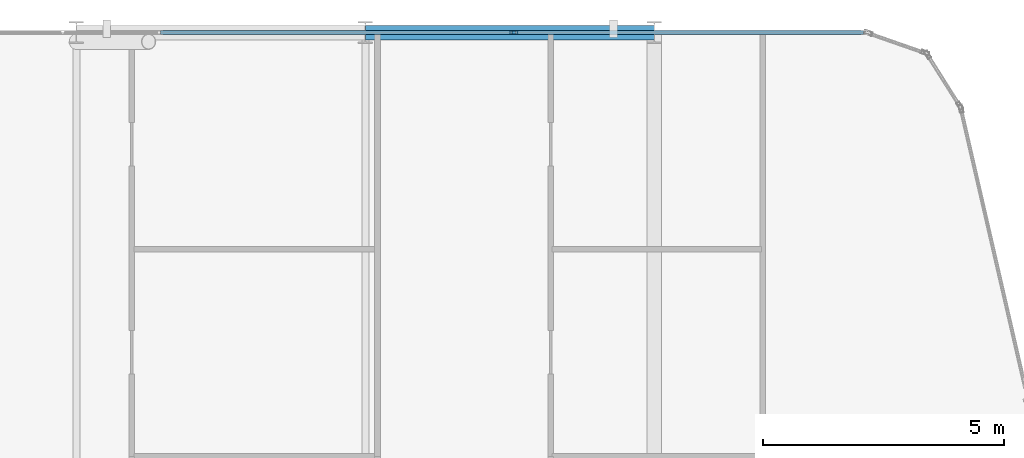
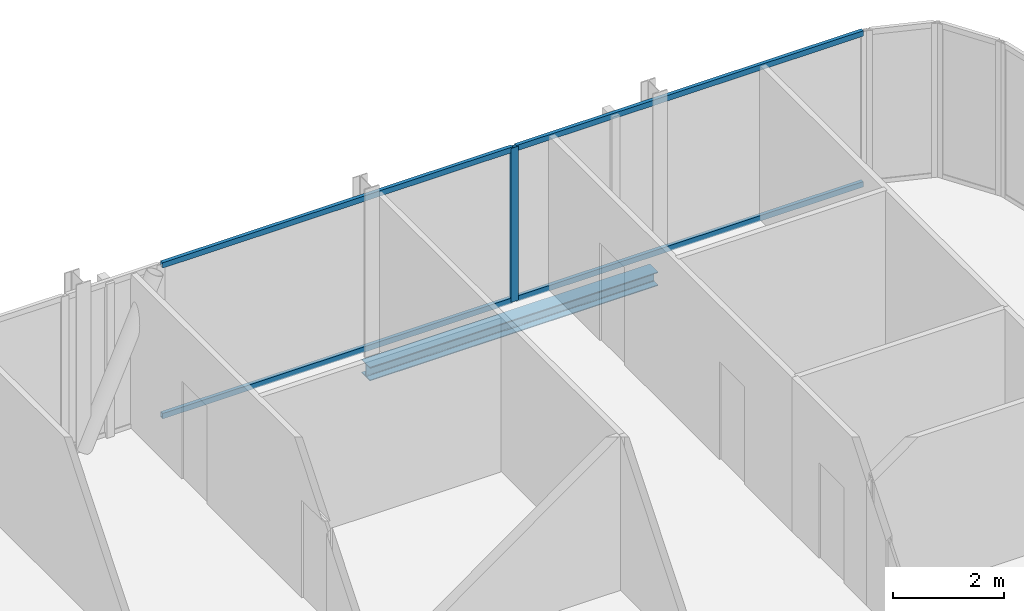
# One storey, part 19 of 29: 5 members, 1 beam, 1 element without a shape of its own.
"""IFC4 building model written with IfcOpenShell, lengths in metres."""

from ifc_helpers import new_model, si_unit, direction, frame, origin, origin_2d, place, context, subcontext, project, spatial, hollow_rectangle, i_section, extrude, material, layer, layer_set, material_profile, profile_set, type_object, element, aggregate, save


model = new_model("IFC4")

# Units and contexts
model_context = context("Model", 3, precision=1e-05, world=origin(), true_north=direction((0.0, 1.0)))
body_context = subcontext(model_context, "Body", "Model", "MODEL_VIEW")
ifc_project = project(units=[si_unit("LENGTHUNIT", "METRE"), si_unit("AREAUNIT", "SQUARE_METRE"), si_unit("VOLUMEUNIT", "CUBIC_METRE"), si_unit("PLANEANGLEUNIT", "RADIAN"), si_unit("MASSUNIT", "GRAM", prefix="KILO")], contexts=[model_context])

# Site, building, storey
site_placement = place(None, origin())
site = spatial("IfcSite", under=ifc_project, at=site_placement, CompositionType="ELEMENT")
building_placement = place(site_placement, origin())
building = spatial("IfcBuilding", under=site, at=building_placement, Name="Keshet Zoharim Tower", CompositionType="ELEMENT")
storey_placement = place(building_placement, frame((0.0, 0.0, 172.800048828125)))
storey = spatial("IfcBuildingStorey", under=building, at=storey_placement, Name="L42", CompositionType="ELEMENT", Elevation=172.800048828125)

# Beam
ifc_material_1 = material(Name="Steel S355", Category="steel")
ifc_material_profile_1 = material_profile(ifc_material_1, i_section(OverallWidth=0.300048828125, OverallDepth=0.300048828125, WebThickness=0.010986328125, FlangeThickness=0.01904296875, FilletRadius=0.027099609375, at=origin_2d()), Name="HEB300")
ifc_profile_set_1 = profile_set([ifc_material_profile_1], Name="Steel S355")
beam_type = type_object("IfcBeamType", Name="BM-PRI-HB300", PredefinedType="BEAM", material=ifc_profile_set_1)
beam_placement = place(storey_placement, frame((27.0, 53.89990234375, -0.4599609375), z_axis=(1.0, 0.0, 0.0), x_axis=(0.0, 1.0, 0.0)))
element("IfcBeam", 1, at=beam_placement, inside=storey, type_object=beam_type, Name="L42 Primary Girder X-020", PredefinedType="BEAM", context=body_context, shape_type="SweptSolid", body=[
    extrude(i_section(OverallWidth=0.300048828125, OverallDepth=0.300048828125, WebThickness=0.010986328125, FlangeThickness=0.01904296875, FilletRadius=0.027099609375, at=origin_2d()), origin(), (0.0, 0.0, 1.0), 6.0),
])

# Curtain wall, members
ifc_material_2 = material(Name="Aluminium 6063-T6", Category="aluminium")
ifc_layer = layer(ifc_material_2, 0.139892578125)
ifc_layer_set = layer_set([ifc_layer], Name="Aluminium 6063-T6")
curtain_wall_type = type_object("IfcCurtainWallType", Name="CW-SYS-05", PredefinedType="NOTDEFINED", material=ifc_layer_set)
curtain_wall_placement = place(storey_placement, origin())
curtain_wall = element("IfcCurtainWall", 2, at=curtain_wall_placement, inside=storey, type_object=curtain_wall_type, Name="L42 Unitised Curtain Wall 16 Part 3", PredefinedType="NOTDEFINED")
ifc_material_profile_2 = material_profile(ifc_material_2, hollow_rectangle(XDim=0.074951171875, YDim=0.159912109375, WallThickness=0.00390625, at=origin_2d()), Name="MUL-75x160")
ifc_profile_set_2 = profile_set([ifc_material_profile_2], Name="Aluminium 6063-T6")
member_type_1 = type_object("IfcMemberType", Name="CWM-M15", PredefinedType="MULLION", material=ifc_profile_set_2)
member_1_placement = place(storey_placement, frame((30.07861328125, 53.89990234375, 0.0), z_axis=(0.0, 0.0, 1.0), x_axis=(0.0, 1.0, 0.0)))
member_1 = element("IfcMember", 3, at=member_1_placement, type_object=member_type_1, Name="CW-05 mullion 2", PredefinedType="MULLION", context=body_context, shape_type="SweptSolid", body=[
    extrude(hollow_rectangle(XDim=0.074951171875, YDim=0.159912109375, WallThickness=0.00390625, at=origin_2d()), origin(), (0.0, 0.0, 1.0), 3.389892578125),
])
ifc_material_profile_3 = material_profile(ifc_material_2, hollow_rectangle(XDim=0.074951171875, YDim=0.1201171875, WallThickness=0.00390625, at=origin_2d()), Name="TRN-75x120")
ifc_profile_set_3 = profile_set([ifc_material_profile_3], Name="Aluminium 6063-T6")
member_type_2 = type_object("IfcMemberType", Name="CWT-T12", PredefinedType="USERDEFINED", material=ifc_profile_set_3)
member_2_placement = place(storey_placement, frame((22.748046875, 53.89990234375, 0.034912109375), z_axis=(1.0, 0.0, 0.0), x_axis=(0.0, 1.0, 0.0)))
member_2 = element("IfcMember", 4, at=member_2_placement, type_object=member_type_2, Name="CW-05 transom 1.1", ObjectType="TRANSOM", PredefinedType="USERDEFINED", context=body_context, shape_type="SweptSolid", body=[
    extrude(hollow_rectangle(XDim=0.074951171875, YDim=0.1201171875, WallThickness=0.00390625, at=origin_2d()), origin(), (0.0, 0.0, 1.0), 7.29541015625),
])
member_3_placement = place(storey_placement, frame((22.748046875, 53.89990234375, 3.35498046875), z_axis=(1.0, 0.0, 0.0), x_axis=(0.0, 1.0, 0.0)))
member_3 = element("IfcMember", 5, at=member_3_placement, type_object=member_type_2, Name="CW-05 transom 1.2", ObjectType="TRANSOM", PredefinedType="USERDEFINED", context=body_context, shape_type="SweptSolid", body=[
    extrude(hollow_rectangle(XDim=0.074951171875, YDim=0.1201171875, WallThickness=0.00390625, at=origin_2d()), origin(), (0.0, 0.0, 1.0), 7.29541015625),
])
member_4_placement = place(storey_placement, frame((30.113525390625, 53.89990234375, 0.034912109375), z_axis=(1.0, 0.0, 0.0), x_axis=(0.0, 1.0, 0.0)))
member_4 = element("IfcMember", 6, at=member_4_placement, type_object=member_type_2, Name="CW-05 transom 2.1", ObjectType="TRANSOM", PredefinedType="USERDEFINED", context=body_context, shape_type="SweptSolid", body=[
    extrude(hollow_rectangle(XDim=0.074951171875, YDim=0.1201171875, WallThickness=0.00390625, at=origin_2d()), origin(), (0.0, 0.0, 1.0), 7.2255859375),
])
member_5_placement = place(storey_placement, frame((30.113525390625, 53.89990234375, 3.35498046875), z_axis=(1.0, 0.0, 0.0), x_axis=(0.0, 1.0, 0.0)))
member_5 = element("IfcMember", 7, at=member_5_placement, type_object=member_type_2, Name="CW-05 transom 2.2", ObjectType="TRANSOM", PredefinedType="USERDEFINED", context=body_context, shape_type="SweptSolid", body=[
    extrude(hollow_rectangle(XDim=0.074951171875, YDim=0.1201171875, WallThickness=0.00390625, at=origin_2d()), origin(), (0.0, 0.0, 1.0), 7.2255859375),
])
aggregate(curtain_wall, [member_1, member_2, member_3, member_4, member_5])

save(model, "model.ifc")
